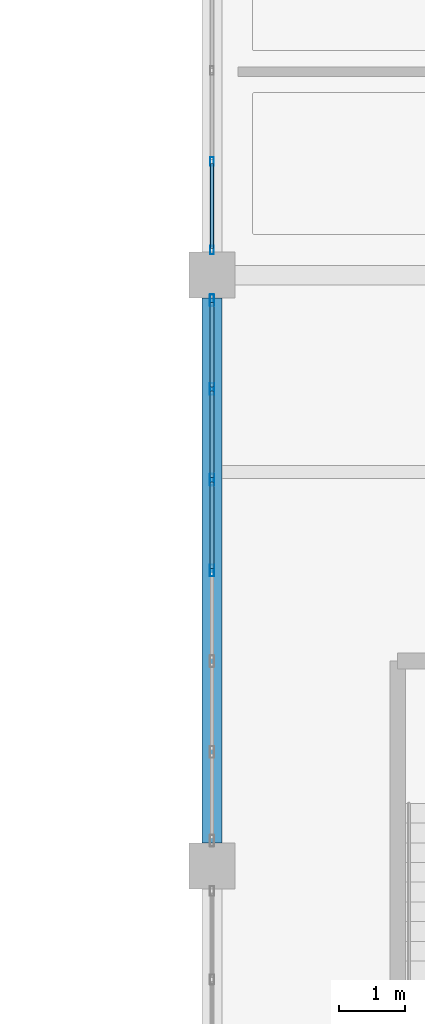
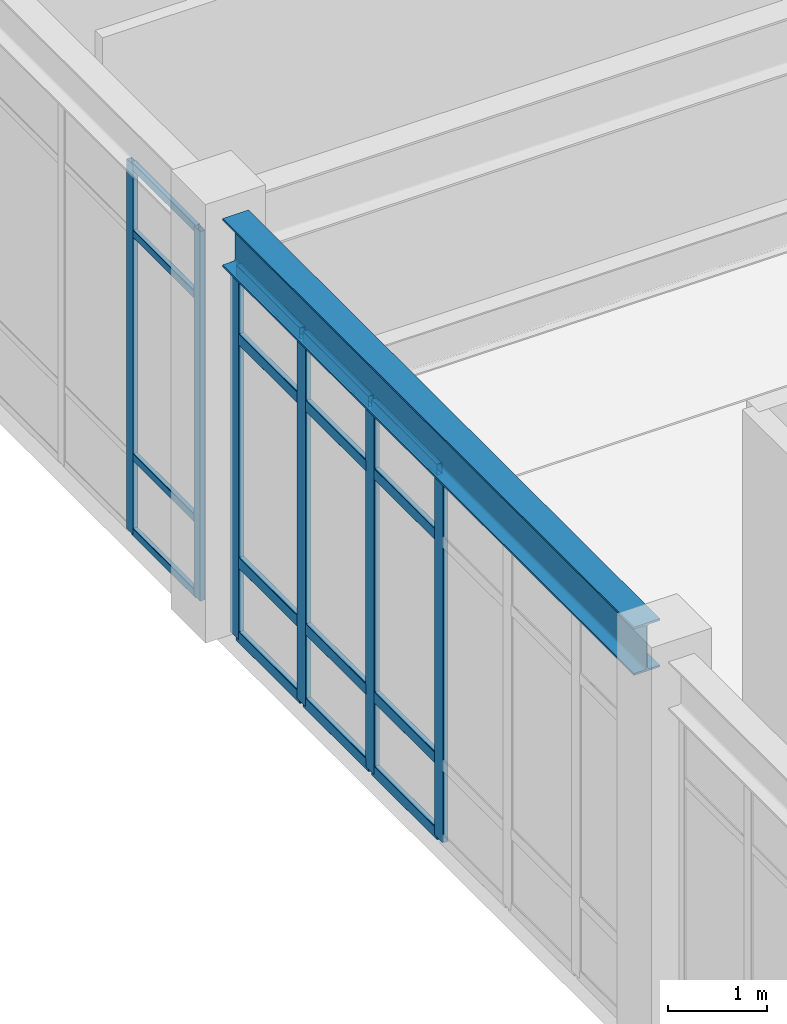
# One storey, part 13 of 80: 22 members, 1 beam, 2 elements without a shape of their own.
"""IFC4 building model written with IfcOpenShell, lengths in metres."""

from ifc_helpers import new_model, si_unit, direction, frame, origin, origin_2d, place, context, subcontext, project, spatial, hollow_rectangle, i_section, extrude, material, material_profile, profile_set, type_object, element, aggregate, save


model = new_model("IFC4")

# Units and contexts
model_context = context("Model", 3, precision=1e-05, world=origin(), true_north=direction((0.0, 1.0)))
body_context = subcontext(model_context, "Body", "Model", "MODEL_VIEW")
ifc_project = project(units=[si_unit("LENGTHUNIT", "METRE"), si_unit("AREAUNIT", "SQUARE_METRE"), si_unit("VOLUMEUNIT", "CUBIC_METRE"), si_unit("PLANEANGLEUNIT", "RADIAN"), si_unit("MASSUNIT", "GRAM", prefix="KILO")], contexts=[model_context])

# Site, building, storey
site_placement = place(None, origin())
site = spatial("IfcSite", under=ifc_project, at=site_placement, CompositionType="ELEMENT")
building_placement = place(site_placement, origin())
building = spatial("IfcBuilding", under=site, at=building_placement, Name="Canglan Escarpment Cableway Terminal", CompositionType="ELEMENT")
storey_placement = place(building_placement, frame((0.0, 0.0, 19.199951171875)))
storey = spatial("IfcBuildingStorey", under=building, at=storey_placement, Name="L04", CompositionType="ELEMENT", Elevation=19.199951171875)

# Beam
ifc_material_1 = material(Name="Steel Q355C", Category="steel")
ifc_material_profile_1 = material_profile(ifc_material_1, i_section(OverallWidth=0.302001953125, OverallDepth=0.593994140625, WebThickness=0.013916015625, FlangeThickness=0.02294921875, FilletRadius=0.028076171875, at=origin_2d()), Name="HM 594x302x14x23")
ifc_profile_set_1 = profile_set([ifc_material_profile_1], Name="Steel Q355C")
beam_type = type_object("IfcBeamType", Name="BM-HM594", PredefinedType="BEAM", material=ifc_profile_set_1)
beam_placement = place(storey_placement, frame((137.60009765625, 43.35009765625, 4.863037109375), z_axis=(0.0, 1.0, 0.0), x_axis=(-1.0, 0.0, 0.0)))
element("IfcBeam", 1, at=beam_placement, inside=storey, type_object=beam_type, Name="Primary transverse girder B-07", PredefinedType="BEAM", context=body_context, shape_type="SweptSolid", body=[
    extrude(i_section(OverallWidth=0.302001953125, OverallDepth=0.593994140625, WebThickness=0.013916015625, FlangeThickness=0.02294921875, FilletRadius=0.028076171875, at=origin_2d()), origin(), (0.0, 0.0, 1.0), 8.2998046875),
])

# Curtain wall, members
ifc_material_2 = material(Name="Anodized bronze aluminium and Low-E double glazing", Category="aluminium")
curtain_wall_type = type_object("IfcCurtainWallType", Name="CW-BAY-8300x4550", PredefinedType="NOTDEFINED", material=ifc_material_2)
curtain_wall_1_placement = place(storey_placement, origin())
curtain_wall_1 = element("IfcCurtainWall", 2, at=curtain_wall_1_placement, inside=storey, type_object=curtain_wall_type, Name="Classical bay-between-piers glazed curtain wall CW-64", PredefinedType="NOTDEFINED")
ifc_material_3 = material(Name="Thermally broken anodized aluminium 6063-T6", Category="aluminium")
ifc_material_profile_2 = material_profile(ifc_material_3, hollow_rectangle(XDim=0.06005859375, YDim=0.1298828125, WallThickness=0.0029296875, InnerFilletRadius=0.0029296875, OuterFilletRadius=0.006103515625, at=origin_2d()), Name="ALU-MULL 60x130x3")
ifc_profile_set_2 = profile_set([ifc_material_profile_2], Name="Thermally broken anodized aluminium 6063-T6")
member_type_1 = type_object("IfcMemberType", Name="CWM-01", PredefinedType="MULLION", material=ifc_profile_set_2)
member_1_placement = place(storey_placement, frame((137.60009765625, 53.7333984375, 0.0), z_axis=(0.0, 0.0, 1.0), x_axis=(1.0, 0.0, 0.0)))
member_1 = element("IfcMember", 3, at=member_1_placement, type_object=member_type_1, Name="CW-64 mullion 6", PredefinedType="MULLION", context=body_context, shape_type="SweptSolid", body=[
    extrude(hollow_rectangle(XDim=0.06005859375, YDim=0.1298828125, WallThickness=0.0029296875, InnerFilletRadius=0.0029296875, OuterFilletRadius=0.006103515625, at=origin_2d()), origin(), (0.0, 0.0, 1.0), 4.551025390625),
])
member_2_placement = place(storey_placement, frame((137.60009765625, 52.3798828125, 0.0), z_axis=(0.0, 0.0, 1.0), x_axis=(1.0, 0.0, 0.0)))
member_2 = element("IfcMember", 4, at=member_2_placement, type_object=member_type_1, Name="CW-64 mullion 7", PredefinedType="MULLION", context=body_context, shape_type="SweptSolid", body=[
    extrude(hollow_rectangle(XDim=0.06005859375, YDim=0.1298828125, WallThickness=0.0029296875, InnerFilletRadius=0.0029296875, OuterFilletRadius=0.006103515625, at=origin_2d()), origin(), (0.0, 0.0, 1.0), 4.551025390625),
])

curtain_wall_2_placement = place(storey_placement, origin())
curtain_wall_2 = element("IfcCurtainWall", 5, at=curtain_wall_2_placement, inside=storey, type_object=curtain_wall_type, Name="Classical bay-between-piers glazed curtain wall CW-64", PredefinedType="NOTDEFINED")
ifc_material_profile_3 = material_profile(ifc_material_3, hollow_rectangle(XDim=0.06494140625, YDim=0.179931640625, WallThickness=0.00390625, InnerFilletRadius=0.00390625, OuterFilletRadius=0.008056640625, at=origin_2d()), Name="ALU-MULL 65x180x4")
ifc_profile_set_3 = profile_set([ifc_material_profile_3], Name="Thermally broken anodized aluminium 6063-T6")
member_type_2 = type_object("IfcMemberType", Name="CWM-03", PredefinedType="MULLION", material=ifc_profile_set_3)
member_3_placement = place(storey_placement, frame((137.60009765625, 51.617431640625, 0.0), z_axis=(0.0, 0.0, 1.0), x_axis=(1.0, 0.0, 0.0)))
member_3 = element("IfcMember", 6, at=member_3_placement, type_object=member_type_2, Name="CW-64 mullion 1", PredefinedType="MULLION", context=body_context, shape_type="SweptSolid", body=[
    extrude(hollow_rectangle(XDim=0.06494140625, YDim=0.179931640625, WallThickness=0.00390625, InnerFilletRadius=0.00390625, OuterFilletRadius=0.008056640625, at=origin_2d()), origin(), (0.0, 0.0, 1.0), 4.551025390625),
])
member_4_placement = place(storey_placement, frame((137.60009765625, 50.2666015625, 0.0), z_axis=(0.0, 0.0, 1.0), x_axis=(1.0, 0.0, 0.0)))
member_4 = element("IfcMember", 7, at=member_4_placement, type_object=member_type_2, Name="CW-64 mullion 2", PredefinedType="MULLION", context=body_context, shape_type="SweptSolid", body=[
    extrude(hollow_rectangle(XDim=0.06494140625, YDim=0.179931640625, WallThickness=0.00390625, InnerFilletRadius=0.00390625, OuterFilletRadius=0.008056640625, at=origin_2d()), origin(), (0.0, 0.0, 1.0), 4.551025390625),
])
member_5_placement = place(storey_placement, frame((137.60009765625, 48.88330078125, 0.0), z_axis=(0.0, 0.0, 1.0), x_axis=(1.0, 0.0, 0.0)))
member_5 = element("IfcMember", 8, at=member_5_placement, type_object=member_type_2, Name="CW-64 mullion 3", PredefinedType="MULLION", context=body_context, shape_type="SweptSolid", body=[
    extrude(hollow_rectangle(XDim=0.06494140625, YDim=0.179931640625, WallThickness=0.00390625, InnerFilletRadius=0.00390625, OuterFilletRadius=0.008056640625, at=origin_2d()), origin(), (0.0, 0.0, 1.0), 4.551025390625),
])
member_6_placement = place(storey_placement, frame((137.60009765625, 47.5, 0.0), z_axis=(0.0, 0.0, 1.0), x_axis=(1.0, 0.0, 0.0)))
member_6 = element("IfcMember", 9, at=member_6_placement, type_object=member_type_2, Name="CW-64 mullion 4", PredefinedType="MULLION", context=body_context, shape_type="SweptSolid", body=[
    extrude(hollow_rectangle(XDim=0.06494140625, YDim=0.179931640625, WallThickness=0.00390625, InnerFilletRadius=0.00390625, OuterFilletRadius=0.008056640625, at=origin_2d()), origin(), (0.0, 0.0, 1.0), 4.551025390625),
])

# Member
ifc_material_profile_4 = material_profile(ifc_material_3, hollow_rectangle(XDim=0.054931640625, YDim=0.094970703125, WallThickness=0.0029296875, InnerFilletRadius=0.0029296875, OuterFilletRadius=0.006103515625, at=origin_2d()), Name="ALU-TRAN 55x95x3")
ifc_profile_set_4 = profile_set([ifc_material_profile_4], Name="Thermally broken anodized aluminium 6063-T6")
member_type_3 = type_object("IfcMemberType", Name="CWT-01", PredefinedType="USERDEFINED", material=ifc_profile_set_4)
member_7_placement = place(storey_placement, frame((137.60009765625, 53.703369140625, 0.027587890625), z_axis=(0.0, -1.0, 0.0), x_axis=(1.0, 0.0, 0.0)))
member_7 = element("IfcMember", 10, at=member_7_placement, type_object=member_type_3, Name="CW-64 transom 6.1", ObjectType="TRANSOM", PredefinedType="USERDEFINED", context=body_context, shape_type="SweptSolid", body=[
    extrude(hollow_rectangle(XDim=0.054931640625, YDim=0.094970703125, WallThickness=0.0029296875, InnerFilletRadius=0.0029296875, OuterFilletRadius=0.006103515625, at=origin_2d()), origin(), (0.0, 0.0, 1.0), 1.29345703125),
])

member_8_placement = place(storey_placement, frame((137.60009765625, 53.703369140625, 0.949951171875), z_axis=(0.0, -1.0, 0.0), x_axis=(1.0, 0.0, 0.0)))
member_8 = element("IfcMember", 11, at=member_8_placement, type_object=member_type_3, Name="CW-64 transom 6.2", ObjectType="TRANSOM", PredefinedType="USERDEFINED", context=body_context, shape_type="SweptSolid", body=[
    extrude(hollow_rectangle(XDim=0.054931640625, YDim=0.094970703125, WallThickness=0.0029296875, InnerFilletRadius=0.0029296875, OuterFilletRadius=0.006103515625, at=origin_2d()), origin(), (0.0, 0.0, 1.0), 1.29345703125),
])

member_9_placement = place(storey_placement, frame((137.60009765625, 53.703369140625, 3.700927734375), z_axis=(0.0, -1.0, 0.0), x_axis=(1.0, 0.0, 0.0)))
member_9 = element("IfcMember", 12, at=member_9_placement, type_object=member_type_3, Name="CW-64 transom 6.3", ObjectType="TRANSOM", PredefinedType="USERDEFINED", context=body_context, shape_type="SweptSolid", body=[
    extrude(hollow_rectangle(XDim=0.054931640625, YDim=0.094970703125, WallThickness=0.0029296875, InnerFilletRadius=0.0029296875, OuterFilletRadius=0.006103515625, at=origin_2d()), origin(), (0.0, 0.0, 1.0), 1.29345703125),
])

member_10_placement = place(storey_placement, frame((137.60009765625, 53.703369140625, 4.5234375), z_axis=(0.0, -1.0, 0.0), x_axis=(1.0, 0.0, 0.0)))
member_10 = element("IfcMember", 13, at=member_10_placement, type_object=member_type_3, Name="CW-64 transom 6.4", ObjectType="TRANSOM", PredefinedType="USERDEFINED", context=body_context, shape_type="SweptSolid", body=[
    extrude(hollow_rectangle(XDim=0.054931640625, YDim=0.094970703125, WallThickness=0.0029296875, InnerFilletRadius=0.0029296875, OuterFilletRadius=0.006103515625, at=origin_2d()), origin(), (0.0, 0.0, 1.0), 1.29345703125),
])

aggregate(curtain_wall_1, [member_1, member_2, member_7, member_8, member_9, member_10])

ifc_material_profile_5 = material_profile(ifc_material_3, hollow_rectangle(XDim=0.06494140625, YDim=0.139892578125, WallThickness=0.00341796875, InnerFilletRadius=0.00341796875, OuterFilletRadius=0.007080078125, at=origin_2d()), Name="ALU-TRAN 65x140x3.5")
ifc_profile_set_5 = profile_set([ifc_material_profile_5], Name="Thermally broken anodized aluminium 6063-T6")
member_type_4 = type_object("IfcMemberType", Name="CWT-03", PredefinedType="USERDEFINED", material=ifc_profile_set_5)
member_11_placement = place(storey_placement, frame((137.60009765625, 51.5849609375, 0.032470703125), z_axis=(0.0, -1.0, 0.0), x_axis=(1.0, 0.0, 0.0)))
member_11 = element("IfcMember", 14, at=member_11_placement, type_object=member_type_4, Name="CW-64 transom 1.1", ObjectType="TRANSOM", PredefinedType="USERDEFINED", context=body_context, shape_type="SweptSolid", body=[
    extrude(hollow_rectangle(XDim=0.06494140625, YDim=0.139892578125, WallThickness=0.00341796875, InnerFilletRadius=0.00341796875, OuterFilletRadius=0.007080078125, at=origin_2d()), origin(), (0.0, 0.0, 1.0), 1.285888671875),
])

member_12_placement = place(storey_placement, frame((137.60009765625, 51.5849609375, 0.949951171875), z_axis=(0.0, -1.0, 0.0), x_axis=(1.0, 0.0, 0.0)))
member_12 = element("IfcMember", 15, at=member_12_placement, type_object=member_type_4, Name="CW-64 transom 1.2", ObjectType="TRANSOM", PredefinedType="USERDEFINED", context=body_context, shape_type="SweptSolid", body=[
    extrude(hollow_rectangle(XDim=0.06494140625, YDim=0.139892578125, WallThickness=0.00341796875, InnerFilletRadius=0.00341796875, OuterFilletRadius=0.007080078125, at=origin_2d()), origin(), (0.0, 0.0, 1.0), 1.285888671875),
])

member_13_placement = place(storey_placement, frame((137.60009765625, 51.5849609375, 3.700927734375), z_axis=(0.0, -1.0, 0.0), x_axis=(1.0, 0.0, 0.0)))
member_13 = element("IfcMember", 16, at=member_13_placement, type_object=member_type_4, Name="CW-64 transom 1.3", ObjectType="TRANSOM", PredefinedType="USERDEFINED", context=body_context, shape_type="SweptSolid", body=[
    extrude(hollow_rectangle(XDim=0.06494140625, YDim=0.139892578125, WallThickness=0.00341796875, InnerFilletRadius=0.00341796875, OuterFilletRadius=0.007080078125, at=origin_2d()), origin(), (0.0, 0.0, 1.0), 1.285888671875),
])

member_14_placement = place(storey_placement, frame((137.60009765625, 51.5849609375, 4.5185546875), z_axis=(0.0, -1.0, 0.0), x_axis=(1.0, 0.0, 0.0)))
member_14 = element("IfcMember", 17, at=member_14_placement, type_object=member_type_4, Name="CW-64 transom 1.4", ObjectType="TRANSOM", PredefinedType="USERDEFINED", context=body_context, shape_type="SweptSolid", body=[
    extrude(hollow_rectangle(XDim=0.06494140625, YDim=0.139892578125, WallThickness=0.00341796875, InnerFilletRadius=0.00341796875, OuterFilletRadius=0.007080078125, at=origin_2d()), origin(), (0.0, 0.0, 1.0), 1.285888671875),
])

member_15_placement = place(storey_placement, frame((137.60009765625, 50.234130859375, 0.032470703125), z_axis=(0.0, -1.0, 0.0), x_axis=(1.0, 0.0, 0.0)))
member_15 = element("IfcMember", 18, at=member_15_placement, type_object=member_type_4, Name="CW-64 transom 2.1", ObjectType="TRANSOM", PredefinedType="USERDEFINED", context=body_context, shape_type="SweptSolid", body=[
    extrude(hollow_rectangle(XDim=0.06494140625, YDim=0.139892578125, WallThickness=0.00341796875, InnerFilletRadius=0.00341796875, OuterFilletRadius=0.007080078125, at=origin_2d()), origin(), (0.0, 0.0, 1.0), 1.318359375),
])

member_16_placement = place(storey_placement, frame((137.60009765625, 50.234130859375, 0.949951171875), z_axis=(0.0, -1.0, 0.0), x_axis=(1.0, 0.0, 0.0)))
member_16 = element("IfcMember", 19, at=member_16_placement, type_object=member_type_4, Name="CW-64 transom 2.2", ObjectType="TRANSOM", PredefinedType="USERDEFINED", context=body_context, shape_type="SweptSolid", body=[
    extrude(hollow_rectangle(XDim=0.06494140625, YDim=0.139892578125, WallThickness=0.00341796875, InnerFilletRadius=0.00341796875, OuterFilletRadius=0.007080078125, at=origin_2d()), origin(), (0.0, 0.0, 1.0), 1.318359375),
])

member_17_placement = place(storey_placement, frame((137.60009765625, 50.234130859375, 3.700927734375), z_axis=(0.0, -1.0, 0.0), x_axis=(1.0, 0.0, 0.0)))
member_17 = element("IfcMember", 20, at=member_17_placement, type_object=member_type_4, Name="CW-64 transom 2.3", ObjectType="TRANSOM", PredefinedType="USERDEFINED", context=body_context, shape_type="SweptSolid", body=[
    extrude(hollow_rectangle(XDim=0.06494140625, YDim=0.139892578125, WallThickness=0.00341796875, InnerFilletRadius=0.00341796875, OuterFilletRadius=0.007080078125, at=origin_2d()), origin(), (0.0, 0.0, 1.0), 1.318359375),
])

member_18_placement = place(storey_placement, frame((137.60009765625, 50.234130859375, 4.5185546875), z_axis=(0.0, -1.0, 0.0), x_axis=(1.0, 0.0, 0.0)))
member_18 = element("IfcMember", 21, at=member_18_placement, type_object=member_type_4, Name="CW-64 transom 2.4", ObjectType="TRANSOM", PredefinedType="USERDEFINED", context=body_context, shape_type="SweptSolid", body=[
    extrude(hollow_rectangle(XDim=0.06494140625, YDim=0.139892578125, WallThickness=0.00341796875, InnerFilletRadius=0.00341796875, OuterFilletRadius=0.007080078125, at=origin_2d()), origin(), (0.0, 0.0, 1.0), 1.318359375),
])

member_19_placement = place(storey_placement, frame((137.60009765625, 48.850830078125, 0.032470703125), z_axis=(0.0, -1.0, 0.0), x_axis=(1.0, 0.0, 0.0)))
member_19 = element("IfcMember", 22, at=member_19_placement, type_object=member_type_4, Name="CW-64 transom 3.1", ObjectType="TRANSOM", PredefinedType="USERDEFINED", context=body_context, shape_type="SweptSolid", body=[
    extrude(hollow_rectangle(XDim=0.06494140625, YDim=0.139892578125, WallThickness=0.00341796875, InnerFilletRadius=0.00341796875, OuterFilletRadius=0.007080078125, at=origin_2d()), origin(), (0.0, 0.0, 1.0), 1.318359375),
])

member_20_placement = place(storey_placement, frame((137.60009765625, 48.850830078125, 0.949951171875), z_axis=(0.0, -1.0, 0.0), x_axis=(1.0, 0.0, 0.0)))
member_20 = element("IfcMember", 23, at=member_20_placement, type_object=member_type_4, Name="CW-64 transom 3.2", ObjectType="TRANSOM", PredefinedType="USERDEFINED", context=body_context, shape_type="SweptSolid", body=[
    extrude(hollow_rectangle(XDim=0.06494140625, YDim=0.139892578125, WallThickness=0.00341796875, InnerFilletRadius=0.00341796875, OuterFilletRadius=0.007080078125, at=origin_2d()), origin(), (0.0, 0.0, 1.0), 1.318359375),
])

member_21_placement = place(storey_placement, frame((137.60009765625, 48.850830078125, 3.700927734375), z_axis=(0.0, -1.0, 0.0), x_axis=(1.0, 0.0, 0.0)))
member_21 = element("IfcMember", 24, at=member_21_placement, type_object=member_type_4, Name="CW-64 transom 3.3", ObjectType="TRANSOM", PredefinedType="USERDEFINED", context=body_context, shape_type="SweptSolid", body=[
    extrude(hollow_rectangle(XDim=0.06494140625, YDim=0.139892578125, WallThickness=0.00341796875, InnerFilletRadius=0.00341796875, OuterFilletRadius=0.007080078125, at=origin_2d()), origin(), (0.0, 0.0, 1.0), 1.318359375),
])

member_22_placement = place(storey_placement, frame((137.60009765625, 48.850830078125, 4.5185546875), z_axis=(0.0, -1.0, 0.0), x_axis=(1.0, 0.0, 0.0)))
member_22 = element("IfcMember", 25, at=member_22_placement, type_object=member_type_4, Name="CW-64 transom 3.4", ObjectType="TRANSOM", PredefinedType="USERDEFINED", context=body_context, shape_type="SweptSolid", body=[
    extrude(hollow_rectangle(XDim=0.06494140625, YDim=0.139892578125, WallThickness=0.00341796875, InnerFilletRadius=0.00341796875, OuterFilletRadius=0.007080078125, at=origin_2d()), origin(), (0.0, 0.0, 1.0), 1.318359375),
])

aggregate(curtain_wall_2, [member_3, member_4, member_5, member_6, member_11, member_12, member_13, member_14, member_15, member_16, member_17, member_18, member_19, member_20, member_21, member_22])

save(model, "model.ifc")
